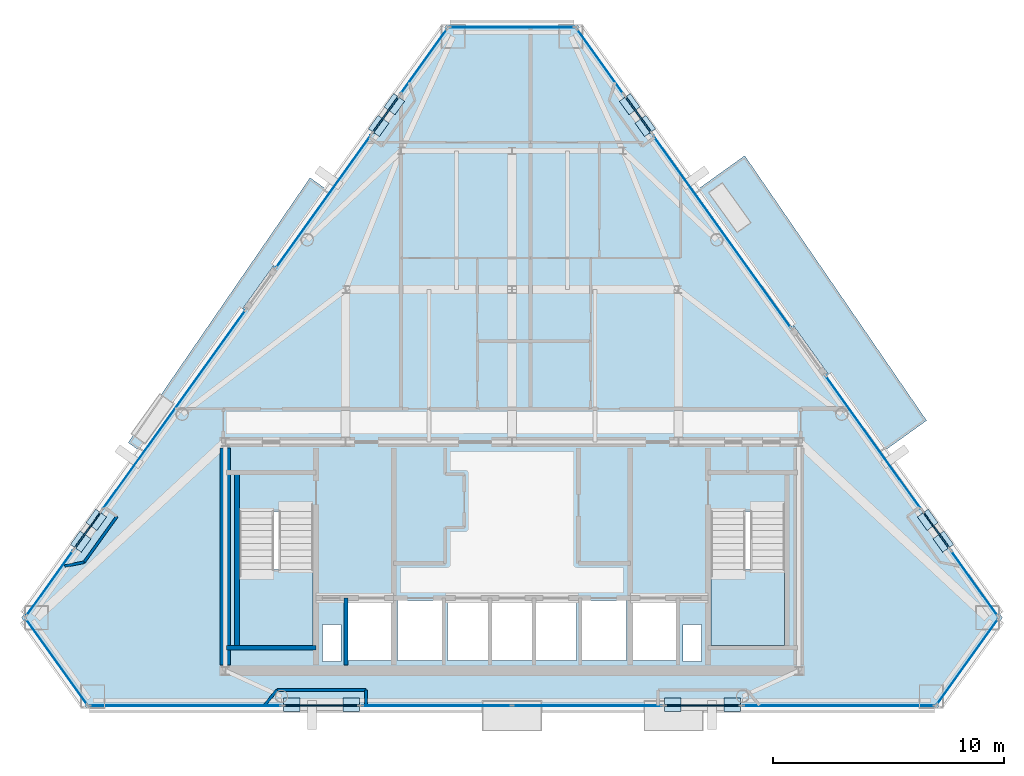
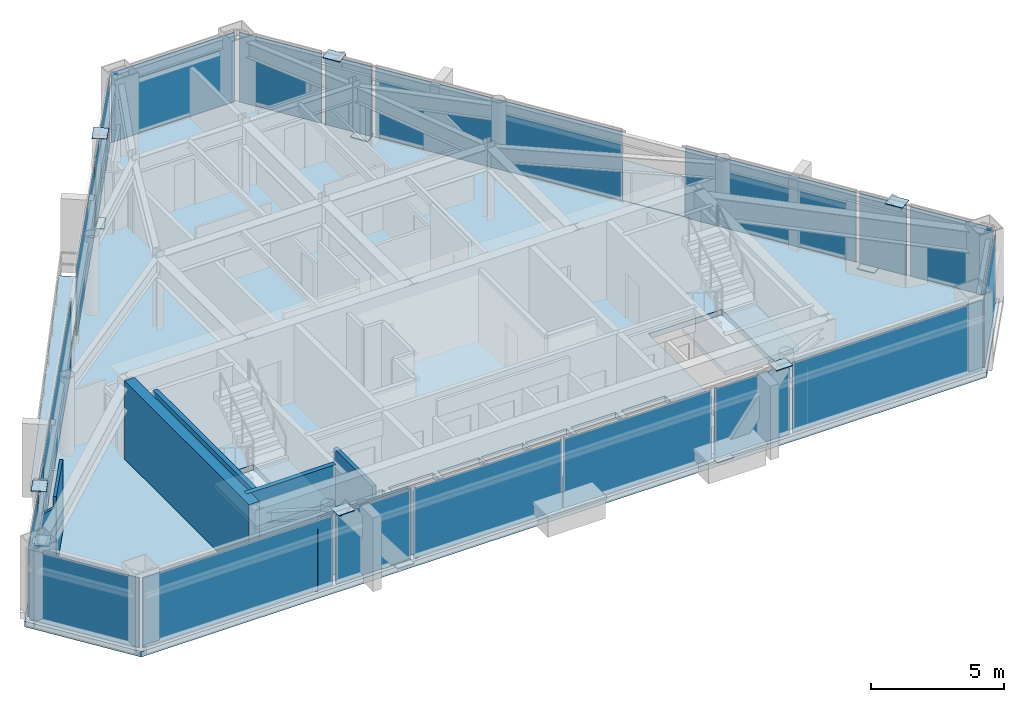
# One storey, part 6 of 11: 33 plates, 9 walls, 5 slabs, 22 elements without a shape of their own.
"""IFC4 building model written with IfcOpenShell, lengths in metres."""

import ifcopenshell
import ifcopenshell.guid

model = None  # the IFC model being written
_history = None  # IfcOwnerHistory: only IFC2X3 demands one
_inside = {}  # id of a spatial element -> (the spatial element, [elements in it])
_under = {}  # id of a project, library or spatial element -> (it, [spatial elements below it])
_declared = {}  # id of a project -> (the project, [libraries it declares])
_typed = {}  # id of a type object -> (the type object, [elements of that type])
_made_of = {}  # id of a material, layer set ... -> (it, [elements and type objects made of it])


def new_model(schema):
    """Start an empty IFC model of exactly this schema.

    Asked for "IFC4X3", IfcOpenShell would pick the latest addendum, in which some entities
    have other attributes; the version numbers below select the first issue.
    IFC2X3 requires an IfcOwnerHistory on every rooted entity: one is made here for all.
    """
    global model, _history
    if schema == "IFC4X3":
        model = ifcopenshell.file(schema_version=(4, 3, 0, 0))
    else:
        model = ifcopenshell.file(schema=schema)
    _inside.clear()
    _under.clear()
    _declared.clear()
    _typed.clear()
    _made_of.clear()
    _history = None
    if model.schema == "IFC2X3":
        org = make("IfcOrganization", Name="unknown")
        user = make(
            "IfcPersonAndOrganization",
            ThePerson=make("IfcPerson", FamilyName="unknown"),
            TheOrganization=org,
        )
        app = make(
            "IfcApplication",
            ApplicationDeveloper=org,
            Version="unknown",
            ApplicationFullName="unknown",
            ApplicationIdentifier="unknown",
        )
        _history = make(
            "IfcOwnerHistory",
            OwningUser=user,
            OwningApplication=app,
            ChangeAction="ADDED",
            CreationDate=0,
        )
    return model


def make(cls, **values):
    """One entity of the class cls with the attributes given. An attribute that is None is left unset."""
    return model.create_entity(
        cls, **{name: value for name, value in values.items() if value is not None}
    )


def rooted(cls, **values):
    """An entity with a GlobalId (a new one), such as an element, a storey or a relation."""
    return make(cls, GlobalId=ifcopenshell.guid.new(), OwnerHistory=_history, **values)


def si_unit(unit_type, name, prefix=None):
    """IfcSIUnit, for example si_unit("LENGTHUNIT", "METRE", prefix="MILLI")."""
    return make("IfcSIUnit", UnitType=unit_type, Prefix=prefix, Name=name)


def assignment(units):
    """IfcUnitAssignment: the units of a project."""
    return None if units is None else make("IfcUnitAssignment", Units=units)


def point(xyz):
    """IfcCartesianPoint."""
    return None if xyz is None else make("IfcCartesianPoint", Coordinates=xyz)


def direction(xyz):
    """IfcDirection."""
    return None if xyz is None else make("IfcDirection", DirectionRatios=xyz)


def frame(location, z_axis=None, x_axis=None):
    """IfcAxis2Placement3D, a coordinate frame: its origin and axes. An axis left out is left unset."""
    return make(
        "IfcAxis2Placement3D",
        Location=point(location),
        Axis=direction(z_axis),
        RefDirection=direction(x_axis),
    )


def frame_2d(location, x_axis=None):
    """IfcAxis2Placement2D, a coordinate frame in the plane: its origin and x axis."""
    return make(
        "IfcAxis2Placement2D", Location=point(location), RefDirection=direction(x_axis)
    )


def origin():
    """The frame at (0, 0, 0) with its axes left unset."""
    return frame((0.0, 0.0, 0.0))


def origin_2d():
    """The frame at (0, 0) in the plane with its x axis left unset."""
    return frame_2d((0.0, 0.0))


def place(relative_to, where):
    """IfcLocalPlacement: puts the frame where relative to a parent placement (None: the world)."""
    return make(
        "IfcLocalPlacement", PlacementRelTo=relative_to, RelativePlacement=where
    )


def context(
    kind, dimensions, precision=None, world=None, true_north=None, identifier=None
):
    """IfcGeometricRepresentationContext, for example the 3D "Model" context."""
    return make(
        "IfcGeometricRepresentationContext",
        ContextIdentifier=identifier,
        ContextType=kind,
        CoordinateSpaceDimension=dimensions,
        Precision=precision,
        WorldCoordinateSystem=world,
        TrueNorth=true_north,
    )


def subcontext(parent, identifier, kind, view, scale=None):
    """IfcGeometricRepresentationSubContext, for example "Body" below "Model"."""
    return make(
        "IfcGeometricRepresentationSubContext",
        ContextIdentifier=identifier,
        ContextType=kind,
        ParentContext=parent,
        TargetScale=scale,
        TargetView=view,
    )


def project(units=None, contexts=None):
    """IfcProject with its units and contexts."""
    return rooted(
        "IfcProject",
        Name="project",
        RepresentationContexts=contexts,
        UnitsInContext=assignment(units),
    )


def spatial(cls, under=None, at=None, **own):
    """A site, building, storey or space (cls), placed at a placement, below another one or the project."""
    s = rooted(cls, ObjectPlacement=at, **own)
    if under is not None:
        _under.setdefault(under.id(), (under, []))[1].append(s)
    return s


def polyline(points):
    """IfcPolyline through the points."""
    return make("IfcPolyline", Points=[point(p) for p in points])


def profile(cls, at=None, kind="AREA", **sizes):
    """A parametric profile (cls). Its sizes go by their IFC names, for example OverallWidth=200.0."""
    return make(cls, ProfileType=kind, Position=at, **sizes)


def rectangle(**sizes):
    """IfcRectangleProfileDef."""
    return profile("IfcRectangleProfileDef", **sizes)


def outline(outer, holes=None, kind="AREA"):
    """IfcArbitraryClosedProfileDef: a profile drawn as a closed curve; with holes, ...WithVoids."""
    if holes is None:
        return make("IfcArbitraryClosedProfileDef", ProfileType=kind, OuterCurve=outer)
    return make(
        "IfcArbitraryProfileDefWithVoids",
        ProfileType=kind,
        OuterCurve=outer,
        InnerCurves=holes,
    )


def extrude(swept, where, along, depth):
    """IfcExtrudedAreaSolid: the profile swept, set in the frame where, extruded along a direction by depth."""
    return make(
        "IfcExtrudedAreaSolid",
        SweptArea=swept,
        Position=where,
        ExtrudedDirection=direction(along),
        Depth=depth,
    )


def shape(context_of_items, identifier, shape_type, items):
    """IfcShapeRepresentation: the items that make up one representation, for example the "Body"."""
    return make(
        "IfcShapeRepresentation",
        ContextOfItems=context_of_items,
        RepresentationIdentifier=identifier,
        RepresentationType=shape_type,
        Items=items,
    )


def source(mapping_origin, context_of_items, identifier, shape_type, items):
    """IfcRepresentationMap: a shape defined once, which mapped items show again and again."""
    return make(
        "IfcRepresentationMap",
        MappingOrigin=mapping_origin,
        MappedRepresentation=shape(context_of_items, identifier, shape_type, items),
    )


def transform(
    local_origin,
    x_axis=None,
    y_axis=None,
    z_axis=None,
    scale=None,
    scale2=None,
    scale3=None,
    uniform=True,
):
    """IfcCartesianTransformationOperator3D, or its non-uniform kind. x_axis, y_axis, z_axis: its Axis1, 2, 3."""
    if uniform:
        return make(
            "IfcCartesianTransformationOperator3D",
            Axis1=direction(x_axis),
            Axis2=direction(y_axis),
            LocalOrigin=point(local_origin),
            Scale=scale,
            Axis3=direction(z_axis),
        )
    return make(
        "IfcCartesianTransformationOperator3DnonUniform",
        Axis1=direction(x_axis),
        Axis2=direction(y_axis),
        LocalOrigin=point(local_origin),
        Scale=scale,
        Axis3=direction(z_axis),
        Scale2=scale2,
        Scale3=scale3,
    )


def mapped(mapping_source, mapping_target):
    """IfcMappedItem: shows the shape of a source again, moved by a transform."""
    return make(
        "IfcMappedItem", MappingSource=mapping_source, MappingTarget=mapping_target
    )


def material(Name=None, Category=None):
    """IfcMaterial."""
    return make("IfcMaterial", Name=Name, Category=Category)


def layer(
    of_material, thickness, ventilated=None, Name=None, Category=None, Priority=None
):
    """IfcMaterialLayer: one layer of a wall or slab, of a material (None: an air gap)."""
    return make(
        "IfcMaterialLayer",
        Material=of_material,
        LayerThickness=thickness,
        IsVentilated=ventilated,
        Name=Name,
        Category=Category,
        Priority=Priority,
    )


def layer_set(layers, Name=None):
    """IfcMaterialLayerSet."""
    return make("IfcMaterialLayerSet", MaterialLayers=layers, LayerSetName=Name)


def made_of(thing, what):
    """Note that an element or type object is made of a material, layer set ...; save() writes the relation."""
    if what is not None:
        _made_of.setdefault(what.id(), (what, []))[1].append(thing)
    return thing


def type_object(cls, material=None, **own):
    """A type object (cls), such as IfcWallType, which elements share."""
    return made_of(rooted(cls, **own), material)


def type_shapes(of_type, sources):
    """Give a type object the sources (RepresentationMaps) that its elements show as mapped items."""
    of_type.RepresentationMaps = sources


def element(
    cls,
    number,
    at=None,
    inside=None,
    cuts=None,
    type_object=None,
    material=None,
    context=None,
    identifier="Body",
    shape_type=None,
    held_by="IfcProductDefinitionShape",
    body=None,
    shapes=None,
    **own,
):
    """One element of the class cls, such as IfcWall. Its Tag is "e" and its number.

    at: its placement. inside: the storey or other place that contains it. cuts: it is an
    opening in that element (IfcRelVoidsElement). A single representation is given by context,
    identifier, shape_type and body (its items); several are given by shapes. held_by: the class
    of the entity that holds the representations. save() writes the other relations.
    """
    e = rooted(cls, Tag="e%d" % number, ObjectPlacement=at, **own)
    if body is not None:
        shapes = [shape(context, identifier, shape_type, body)]
    if shapes is not None:
        e.Representation = make(held_by, Representations=shapes)
    if inside is not None:
        _inside.setdefault(inside.id(), (inside, []))[1].append(e)
    if cuts is not None:
        rooted(
            "IfcRelVoidsElement", RelatingBuildingElement=cuts, RelatedOpeningElement=e
        )
    if type_object is not None:
        _typed.setdefault(type_object.id(), (type_object, []))[1].append(e)
    return made_of(e, material)


def aggregate(whole, parts):
    """IfcRelAggregates: a whole, such as a stair, and the parts it consists of."""
    return rooted("IfcRelAggregates", RelatingObject=whole, RelatedObjects=parts)


def save(model, path):
    """Write the relations noted so far, then the file.

    IfcRelAggregates (storeys below a building ...), IfcRelContainedInSpatialStructure (elements
    in a storey), IfcRelDefinesByType, IfcRelAssociatesMaterial and IfcRelDeclares: one each for
    every whole, place, type object, material and project.
    """
    for whole, parts in _under.values():
        aggregate(whole, parts)
    for where, things in _inside.values():
        rooted(
            "IfcRelContainedInSpatialStructure",
            RelatedElements=things,
            RelatingStructure=where,
        )
    for kind, things in _typed.values():
        rooted("IfcRelDefinesByType", RelatedObjects=things, RelatingType=kind)
    for what, things in _made_of.values():
        rooted("IfcRelAssociatesMaterial", RelatedObjects=things, RelatingMaterial=what)
    for by, libraries in _declared.values():
        rooted("IfcRelDeclares", RelatingContext=by, RelatedDefinitions=libraries)
    model.write(path)


model = new_model("IFC4")

# Units and contexts
model_context = context("Model", 3, precision=1e-05, world=origin(), true_north=direction((0.0, 1.0)))
body_context = subcontext(model_context, "Body", "Model", "MODEL_VIEW")
ifc_project = project(units=[si_unit("LENGTHUNIT", "METRE"), si_unit("AREAUNIT", "SQUARE_METRE"), si_unit("VOLUMEUNIT", "CUBIC_METRE"), si_unit("PLANEANGLEUNIT", "RADIAN"), si_unit("MASSUNIT", "GRAM", prefix="KILO")], contexts=[model_context])

# Site, building, storey
site_placement = place(None, origin())
site = spatial("IfcSite", under=ifc_project, at=site_placement, CompositionType="ELEMENT")
building_placement = place(site_placement, origin())
building = spatial("IfcBuilding", under=site, at=building_placement, Name="Talgorran Terracotta Tower", CompositionType="ELEMENT")
storey_placement = place(building_placement, frame((0.0, 0.0, 233.39990234375)))
storey = spatial("IfcBuildingStorey", under=building, at=storey_placement, Name="L61", CompositionType="ELEMENT", Elevation=233.39990234375)

# Plates
ifc_material_1 = material(Name="Steel Grade 350 (350L0)", Category="steel")
ifc_layer_1 = layer(ifc_material_1, 0.031982421875, Name="PL_CAP_MN07")
ifc_layer_set_1 = layer_set([ifc_layer_1], Name="Steel Grade 350 (350L0)")
plate_type_1 = type_object("IfcPlateType", Name="PL_CAP_MN07", PredefinedType="USERDEFINED", material=ifc_layer_set_1)
for number, where, z_axis, x_axis, name in (
    (1, (-6.96240234375, -15.56787109375, -0.005859375), (0.0, 0.0, 1.0), (-1.0, 0.0, 0.0), "L61 Diagonal Frame End Cap SWF Bot"),
    (2, (-9.52734375, -15.56787109375, 3.3193359375), (0.0, 0.0, 1.0), (-1.0, 0.0, 0.0), "L61 Diagonal Frame End Cap SWF Top"),
    (3, (6.96240234375, -15.56787109375, -0.005859375), (0.0, 0.0, 1.0), (1.0, 0.0, 0.0), "L61 Diagonal Frame End Cap SEF Bot"),
    (4, (9.52734375, -15.56787109375, 3.3193359375), (0.0, 0.0, 1.0), (1.0, 0.0, 0.0), "L61 Diagonal Frame End Cap SEF Top"),
    (5, (17.98583984375, -7.567138671875, -0.005859375), (0.0, 0.0, 1.0), (0.582690479669, -0.812694164433, 0.0), "L61 Diagonal Frame End Cap NEL Bot"),
    (6, (18.66259765625, -8.510986328125, 3.3193359375), (0.0, 0.0, 1.0), (0.582690479669, -0.812694164433, 0.0), "L61 Diagonal Frame End Cap NEL Top"),
    (7, (5.768310546875, 9.473876953125, -0.005859375), (0.0, 0.0, 1.0), (-0.582690479669, 0.812694164433, 0.0), "L61 Diagonal Frame End Cap NEU Bot"),
    (8, (5.091796875, 10.417724609375, 3.3193359375), (0.0, 0.0, 1.0), (-0.582690479669, 0.812694164433, 0.0), "L61 Diagonal Frame End Cap NEU Top"),
    (9, (-5.768310546875, 9.473876953125, -0.005859375), (0.0, 0.0, 1.0), (0.582690479669, 0.812694164433, 0.0), "L61 Diagonal Frame End Cap NWU Bot"),
    (10, (-5.091796875, 10.417724609375, 3.3193359375), (0.0, 0.0, 1.0), (0.582690479669, 0.812694164433, 0.0), "L61 Diagonal Frame End Cap NWU Top"),
    (11, (-17.98583984375, -7.567138671875, -0.005859375), (0.0, 0.0, 1.0), (-0.582690479669, -0.812694164433, 0.0), "L61 Diagonal Frame End Cap NWL Bot"),
    (12, (-18.66259765625, -8.510986328125, 3.3193359375), (0.0, 0.0, 1.0), (-0.582690479669, -0.812694164433, 0.0), "L61 Diagonal Frame End Cap NWL Top"),
):
    element("IfcPlate", number, at=place(storey_placement, frame(where, z_axis=z_axis, x_axis=x_axis)), inside=storey, type_object=plate_type_1, Name=name, ObjectType="CAP PLATE", PredefinedType="USERDEFINED", context=body_context, shape_type="SweptSolid", body=[
        extrude(rectangle(XDim=0.719970703125, YDim=0.580078125, at=origin_2d()), origin(), (0.0, 0.0, 1.0), 0.031982421875),
    ])

# Slabs
ifc_material_2 = material(Name="Concrete C40/50", Category="concrete")
ifc_layer_2 = layer(ifc_material_2, 0.219970703125, Name="SL_BALCONY_220")
ifc_layer_set_2 = layer_set([ifc_layer_2], Name="Concrete C40/50")
slab_type_1 = type_object("IfcSlabType", Name="SL_BALCONY_220", PredefinedType="FLOOR", material=ifc_layer_set_2)
slab_1_placement = place(storey_placement, frame((0.0, 0.0, -0.219970703125)))
element("IfcSlab", 13, at=slab_1_placement, inside=storey, type_object=slab_type_1, Name="L61 Outdoor Wave Balcony BAL-NE", PredefinedType="FLOOR", context=body_context, shape_type="SweptSolid", body=[
    extrude(outline(polyline([(7.97998046875, 6.689697265625), (16.077880859375, -4.60546875), (17.936767578125, -3.272705078125), (10.068603515625, 8.18701171875), (7.97998046875, 6.689697265625)])), origin(), (0.0, 0.0, 1.0), 0.219970703125),
])
slab_2_placement = place(storey_placement, frame((0.0, 0.0, -0.219970703125)))
element("IfcSlab", 14, at=slab_2_placement, inside=storey, type_object=slab_type_1, Name="L61 Outdoor Wave Balcony BAL-NW", PredefinedType="FLOOR", context=body_context, shape_type="SweptSolid", body=[
    extrude(outline(polyline([(-16.077880859375, -4.60546875), (-7.97998046875, 6.689697265625), (-8.73779296875, 7.23291015625), (-16.60595703125, -4.226806640625), (-16.077880859375, -4.60546875)])), origin(), (0.0, 0.0, 1.0), 0.219970703125),
])

# Stair, slab
stair_type = type_object("IfcStairType", Name="ST_FIRE_SCISSOR", PredefinedType="HALF_TURN_STAIR", material=ifc_material_2)
stair_1_placement = place(storey_placement, origin())
stair_1 = element("IfcStair", 15, at=stair_1_placement, inside=storey, type_object=stair_type, Name="L61 West Protected Fire Stair ST-01", PredefinedType="HALF_TURN_STAIR")
ifc_layer_3 = layer(ifc_material_2, 0.199951171875, Name="SL_LANDING_200")
ifc_layer_set_3 = layer_set([ifc_layer_3], Name="Concrete C40/50")
slab_type_2 = type_object("IfcSlabType", Name="SL_LANDING_200", PredefinedType="LANDING", material=ifc_layer_set_3)
slab_3_placement = place(storey_placement, frame((0.0, 0.0, 1.60009765625)))
slab_3 = element("IfcSlab", 16, at=slab_3_placement, type_object=slab_type_2, Name="ST-01 landing 1", PredefinedType="LANDING", context=body_context, shape_type="SweptSolid", body=[
    extrude(outline(polyline([(-11.800048828125, -9.719970703125), (-11.800048828125, -13.0), (-8.60009765625, -13.0), (-8.60009765625, -9.719970703125), (-11.800048828125, -9.719970703125)])), origin(), (0.0, 0.0, 1.0), 0.199951171875),
])
aggregate(stair_1, [slab_3])

stair_2_placement = place(storey_placement, origin())
stair_2 = element("IfcStair", 17, at=stair_2_placement, inside=storey, type_object=stair_type, Name="L61 East Protected Fire Stair ST-02", PredefinedType="HALF_TURN_STAIR")
slab_4_placement = place(storey_placement, frame((0.0, 0.0, 1.60009765625)))
slab_4 = element("IfcSlab", 18, at=slab_4_placement, type_object=slab_type_2, Name="ST-02 landing 1", PredefinedType="LANDING", context=body_context, shape_type="SweptSolid", body=[
    extrude(outline(polyline([(8.60009765625, -9.719970703125), (8.60009765625, -13.0), (11.800048828125, -13.0), (11.800048828125, -9.719970703125), (8.60009765625, -9.719970703125)])), origin(), (0.0, 0.0, 1.0), 0.199951171875),
])
aggregate(stair_2, [slab_4])

# Slab
ifc_layer_4 = layer(ifc_material_2, 0.2548828125, Name="SL_TOWER_235")
ifc_layer_set_4 = layer_set([ifc_layer_4], Name="Concrete C40/50")
slab_type_3 = type_object("IfcSlabType", Name="SL_TOWER_235", PredefinedType="FLOOR", material=ifc_layer_set_4)
slab_5_placement = place(storey_placement, frame((0.0, 0.0, -0.2548828125)))
element("IfcSlab", 19, at=slab_5_placement, inside=storey, type_object=slab_type_3, Name="Storey L61 Structural Floor Slab", PredefinedType="FLOOR", context=body_context, shape_type="SweptSolid", body=[
    extrude(outline(polyline([(-21.21875, -11.802001953125), (-18.404296875, -15.727783203125), (18.404296875, -15.727783203125), (21.21875, -11.802001953125), (2.814453125, 13.86865234375), (-2.814453125, 13.86865234375), (-21.21875, -11.802001953125)]), holes=[polyline([(-11.800048828125, -7.199951171875), (-11.800048828125, -13.0), (-8.60009765625, -13.0), (-8.60009765625, -7.199951171875), (-11.800048828125, -7.199951171875)]), polyline([(8.60009765625, -7.199951171875), (8.60009765625, -13.0), (11.800048828125, -13.0), (11.800048828125, -7.199951171875), (8.60009765625, -7.199951171875)]), polyline([(-7.10009765625, -13.64990234375), (-5.199951171875, -13.64990234375), (-5.199951171875, -11.050048828125), (-7.10009765625, -11.050048828125), (-7.10009765625, -13.64990234375)]), polyline([(5.199951171875, -13.64990234375), (7.10009765625, -13.64990234375), (7.10009765625, -11.050048828125), (5.199951171875, -11.050048828125), (5.199951171875, -13.64990234375)]), polyline([(3.0, -13.64990234375), (4.949951171875, -13.64990234375), (4.949951171875, -11.050048828125), (3.0, -11.050048828125), (3.0, -13.64990234375)]), polyline([(-4.949951171875, -13.64990234375), (-3.0, -13.64990234375), (-3.0, -11.050048828125), (-4.949951171875, -11.050048828125), (-4.949951171875, -13.64990234375)]), polyline([(-2.800048828125, -13.64990234375), (-1.0, -13.64990234375), (-1.0, -11.050048828125), (-2.800048828125, -11.050048828125), (-2.800048828125, -13.64990234375)]), polyline([(-0.89990234375, -13.64990234375), (0.89990234375, -13.64990234375), (0.89990234375, -11.050048828125), (-0.89990234375, -11.050048828125), (-0.89990234375, -13.64990234375)]), polyline([(1.0, -13.64990234375), (2.800048828125, -13.64990234375), (2.800048828125, -11.050048828125), (1.0, -11.050048828125), (1.0, -13.64990234375)]), polyline([(-8.199951171875, -13.699951171875), (-7.39990234375, -13.699951171875), (-7.39990234375, -12.10009765625), (-8.199951171875, -12.10009765625), (-8.199951171875, -13.699951171875)]), polyline([(7.39990234375, -13.699951171875), (8.199951171875, -13.699951171875), (8.199951171875, -12.10009765625), (7.39990234375, -12.10009765625), (7.39990234375, -13.699951171875)])]), origin(), (0.0, 0.0, 1.0), 0.2548828125),
])

# Curtain wall, plate
ifc_material_3 = material(Name="High-Wind Unitised Glazing", Category="glass")
ifc_layer_5 = layer(ifc_material_3, 0.2099609375, Name="CW_SYS3_RES_HIGH")
ifc_layer_set_5 = layer_set([ifc_layer_5], Name="High-Wind Unitised Glazing")
curtain_wall_type = type_object("IfcCurtainWallType", Name="CW_SYS3_RES_HIGH", PredefinedType="NOTDEFINED", material=ifc_layer_set_5)
curtain_wall_1_placement = place(storey_placement, origin())
curtain_wall_1 = element("IfcCurtainWall", 20, at=curtain_wall_1_placement, inside=storey, type_object=curtain_wall_type, Name="CW-L61-F0", PredefinedType="NOTDEFINED")
ifc_material_4 = material(Name="High-Wind Acoustic Vision Glass", Category="glass")
ifc_layer_6 = layer(ifc_material_4, 0.031982421875, Name="PLT_VISION_32")
ifc_layer_set_6 = layer_set([ifc_layer_6], Name="High-Wind Acoustic Vision Glass")
plate_type_2 = type_object("IfcPlateType", Name="PLT_VISION_32", PredefinedType="CURTAIN_PANEL", material=ifc_layer_set_6)
shared_shape_1 = source(origin(), body_context, "Body", "SweptSolid", [
    extrude(rectangle(XDim=4.542724609375, YDim=0.031982421875, at=origin_2d()), origin(), (0.0, 0.0, 1.0), 3.205078125),
])
plate_1_placement = place(storey_placement, frame((-19.706787109375, -13.704833984375, 0.070068359375), z_axis=(0.0, 0.0, 1.0), x_axis=(0.582661427396, -0.812714993724, 0.0)))
plate_1 = element("IfcPlate", 21, at=plate_1_placement, type_object=plate_type_2, Name="CW-L61-0 panel 1.1", PredefinedType="CURTAIN_PANEL", context=body_context, shape_type="MappedRepresentation", body=[
    mapped(shared_shape_1, transform((0.0, 0.0, 0.0), scale=1.0)),
])
aggregate(curtain_wall_1, [plate_1])

curtain_wall_2_placement = place(storey_placement, origin())
curtain_wall_2 = element("IfcCurtainWall", 22, at=curtain_wall_2_placement, inside=storey, type_object=curtain_wall_type, Name="CW-L61-F2", PredefinedType="NOTDEFINED")
plate_2_placement = place(storey_placement, frame((19.706787109375, -13.704833984375, 0.070068359375), z_axis=(0.0, 0.0, 1.0), x_axis=(0.582661427396, 0.812714993724, 0.0)))
plate_2 = element("IfcPlate", 23, at=plate_2_placement, type_object=plate_type_2, Name="CW-L61-2 panel 1.1", PredefinedType="CURTAIN_PANEL", context=body_context, shape_type="MappedRepresentation", body=[
    mapped(shared_shape_1, transform((0.0, 0.0, 0.0), scale=1.0)),
])
aggregate(curtain_wall_2, [plate_2])

curtain_wall_3_placement = place(storey_placement, origin())
curtain_wall_3 = element("IfcCurtainWall", 24, at=curtain_wall_3_placement, inside=storey, type_object=curtain_wall_type, Name="CW-L61-F1", PredefinedType="NOTDEFINED")
shared_shape_2 = source(origin(), body_context, "Body", "SweptSolid", [
    extrude(rectangle(XDim=8.2568359375, YDim=0.031982421875, at=origin_2d()), origin(), (0.0, 0.0, 1.0), 3.205078125),
])
plate_3_placement = place(storey_placement, frame((-14.14404296875, -15.60791015625, 0.070068359375), z_axis=(0.0, 0.0, 1.0), x_axis=(1.0, 0.0, 0.0)))
plate_3 = element("IfcPlate", 25, at=plate_3_placement, type_object=plate_type_2, Name="CW-L61-1 panel 1.1", PredefinedType="CURTAIN_PANEL", context=body_context, shape_type="MappedRepresentation", body=[
    mapped(shared_shape_2, transform((0.0, 0.0, 0.0), scale=1.0)),
])
aggregate(curtain_wall_3, [plate_3])

curtain_wall_4_placement = place(storey_placement, origin())
curtain_wall_4 = element("IfcCurtainWall", 26, at=curtain_wall_4_placement, inside=storey, type_object=curtain_wall_type, Name="CW-L61-F1E", PredefinedType="NOTDEFINED")
plate_4_placement = place(storey_placement, frame((14.14404296875, -15.60791015625, 0.070068359375), z_axis=(0.0, 0.0, 1.0), x_axis=(1.0, 0.0, 0.0)))
plate_4 = element("IfcPlate", 27, at=plate_4_placement, type_object=plate_type_2, Name="CW-L61-1E panel 1.1", PredefinedType="CURTAIN_PANEL", context=body_context, shape_type="MappedRepresentation", body=[
    mapped(shared_shape_2, transform((0.0, 0.0, 0.0), scale=1.0)),
])
aggregate(curtain_wall_4, [plate_4])

curtain_wall_5_placement = place(storey_placement, origin())
curtain_wall_5 = element("IfcCurtainWall", 28, at=curtain_wall_5_placement, inside=storey, type_object=curtain_wall_type, Name="CW-L61-F1B", PredefinedType="NOTDEFINED")
ifc_material_5 = material(Name="Terracotta Insulated Spandrel", Category="masonry")
ifc_layer_7 = layer(ifc_material_5, 0.06494140625, Name="PLT_SPANDREL_TERRA")
ifc_layer_set_7 = layer_set([ifc_layer_7], Name="Terracotta Insulated Spandrel")
plate_type_3 = type_object("IfcPlateType", Name="PLT_SPANDREL_TERRA", PredefinedType="SHEET", material=ifc_layer_set_7)
shared_shape_3 = source(origin(), body_context, "Body", "SweptSolid", [
    extrude(rectangle(XDim=3.24169921875, YDim=0.06494140625, at=origin_2d()), origin(), (0.0, 0.0, 1.0), 3.205078125),
])
plate_5_placement = place(storey_placement, frame((-8.244873046875, -15.60791015625, 0.070068359375), z_axis=(0.0, 0.0, 1.0), x_axis=(1.0, 0.0, 0.0)))
plate_5 = element("IfcPlate", 29, at=plate_5_placement, type_object=plate_type_3, Name="CW-L61-1B panel 1.1", PredefinedType="CURTAIN_PANEL", context=body_context, shape_type="MappedRepresentation", body=[
    mapped(shared_shape_3, transform((0.0, 0.0, 0.0), scale=1.0)),
])
aggregate(curtain_wall_5, [plate_5])

curtain_wall_6_placement = place(storey_placement, origin())
curtain_wall_6 = element("IfcCurtainWall", 30, at=curtain_wall_6_placement, inside=storey, type_object=curtain_wall_type, Name="CW-L61-F1D", PredefinedType="NOTDEFINED")
plate_6_placement = place(storey_placement, frame((8.244873046875, -15.60791015625, 0.070068359375), z_axis=(0.0, 0.0, 1.0), x_axis=(1.0, 0.0, 0.0)))
plate_6 = element("IfcPlate", 31, at=plate_6_placement, type_object=plate_type_3, Name="CW-L61-1D panel 1.1", PredefinedType="CURTAIN_PANEL", context=body_context, shape_type="MappedRepresentation", body=[
    mapped(shared_shape_3, transform((0.0, 0.0, 0.0), scale=1.0)),
])
aggregate(curtain_wall_6, [plate_6])

# Curtain wall, plates
curtain_wall_7_placement = place(storey_placement, origin())
curtain_wall_7 = element("IfcCurtainWall", 32, at=curtain_wall_7_placement, inside=storey, type_object=curtain_wall_type, Name="CW-L61-F1C", PredefinedType="NOTDEFINED")
shared_shape_4 = source(origin(), body_context, "Body", "SweptSolid", [
    extrude(rectangle(XDim=6.439208984375, YDim=0.031982421875, at=origin_2d()), origin(), (0.0, 0.0, 1.0), 3.205078125),
])
plate_7_placement = place(storey_placement, frame((-3.254638671875, -15.60791015625, 0.070068359375), z_axis=(0.0, 0.0, 1.0), x_axis=(1.0, 0.0, 0.0)))
plate_7 = element("IfcPlate", 33, at=plate_7_placement, type_object=plate_type_2, Name="CW-L61-1C panel 1.1", PredefinedType="CURTAIN_PANEL", context=body_context, shape_type="MappedRepresentation", body=[
    mapped(shared_shape_4, transform((0.0, 0.0, 0.0), scale=1.0)),
])
plate_8_placement = place(storey_placement, frame((3.254638671875, -15.60791015625, 0.070068359375), z_axis=(0.0, 0.0, 1.0), x_axis=(1.0, 0.0, 0.0)))
plate_8 = element("IfcPlate", 34, at=plate_8_placement, type_object=plate_type_2, Name="CW-L61-1C panel 2.1", PredefinedType="CURTAIN_PANEL", context=body_context, shape_type="MappedRepresentation", body=[
    mapped(shared_shape_4, transform((0.0, 0.0, 0.0), scale=1.0)),
])
aggregate(curtain_wall_7, [plate_7, plate_8])

# Curtain wall, plate
curtain_wall_8_placement = place(storey_placement, origin())
curtain_wall_8 = element("IfcCurtainWall", 35, at=curtain_wall_8_placement, inside=storey, type_object=curtain_wall_type, Name="CW-L61-F40", PredefinedType="NOTDEFINED")
shared_shape_5 = source(origin(), body_context, "Body", "SweptSolid", [
    extrude(rectangle(XDim=3.4306640625, YDim=0.031982421875, at=origin_2d()), origin(), (0.0, 0.0, 1.0), 3.205078125),
])
plate_9_placement = place(storey_placement, frame((20.007568359375, -10.318603515625, 0.070068359375), z_axis=(0.0, 0.0, 1.0), x_axis=(-0.582654617926, 0.812719875609, 0.0)))
plate_9 = element("IfcPlate", 36, at=plate_9_placement, type_object=plate_type_2, Name="CW-L61-40 panel 1.1", PredefinedType="CURTAIN_PANEL", context=body_context, shape_type="MappedRepresentation", body=[
    mapped(shared_shape_5, transform((0.0, 0.0, 0.0), scale=1.0)),
])
aggregate(curtain_wall_8, [plate_9])

curtain_wall_9_placement = place(storey_placement, origin())
curtain_wall_9 = element("IfcCurtainWall", 37, at=curtain_wall_9_placement, inside=storey, type_object=curtain_wall_type, Name="CW-L61-F61C", PredefinedType="NOTDEFINED")
plate_10_placement = place(storey_placement, frame((-20.007568359375, -10.318603515625, 0.070068359375), z_axis=(0.0, 0.0, 1.0), x_axis=(-0.582654617926, -0.812719875609, 0.0)))
plate_10 = element("IfcPlate", 38, at=plate_10_placement, type_object=plate_type_2, Name="CW-L61-61C panel 1.1", PredefinedType="CURTAIN_PANEL", context=body_context, shape_type="MappedRepresentation", body=[
    mapped(shared_shape_5, transform((0.0, 0.0, 0.0), scale=1.0)),
])
aggregate(curtain_wall_9, [plate_10])

curtain_wall_10_placement = place(storey_placement, origin())
curtain_wall_10 = element("IfcCurtainWall", 39, at=curtain_wall_10_placement, inside=storey, type_object=curtain_wall_type, Name="CW-L61-F40B", PredefinedType="NOTDEFINED")
shared_shape_6 = source(origin(), body_context, "Body", "SweptSolid", [
    extrude(rectangle(XDim=1.935791015625, YDim=0.06494140625, at=origin_2d()), origin(), (0.0, 0.0, 1.0), 3.205078125),
])
plate_11_placement = place(storey_placement, frame((18.356689453125, -8.015869140625, 0.070068359375), z_axis=(0.0, 0.0, 1.0), x_axis=(-0.582649952546, 0.81272322029, 0.0)))
plate_11 = element("IfcPlate", 40, at=plate_11_placement, type_object=plate_type_3, Name="CW-L61-40B panel 1.1", PredefinedType="CURTAIN_PANEL", context=body_context, shape_type="MappedRepresentation", body=[
    mapped(shared_shape_6, transform((0.0, 0.0, 0.0), scale=1.0)),
])
aggregate(curtain_wall_10, [plate_11])

curtain_wall_11_placement = place(storey_placement, origin())
curtain_wall_11 = element("IfcCurtainWall", 41, at=curtain_wall_11_placement, inside=storey, type_object=curtain_wall_type, Name="CW-L61-F61B", PredefinedType="NOTDEFINED")
plate_12_placement = place(storey_placement, frame((-18.356689453125, -8.015869140625, 0.070068359375), z_axis=(0.0, 0.0, 1.0), x_axis=(-0.582649952546, -0.81272322029, 0.0)))
plate_12 = element("IfcPlate", 42, at=plate_12_placement, type_object=plate_type_3, Name="CW-L61-61B panel 1.1", PredefinedType="CURTAIN_PANEL", context=body_context, shape_type="MappedRepresentation", body=[
    mapped(shared_shape_6, transform((0.0, 0.0, 0.0), scale=1.0)),
])
aggregate(curtain_wall_11, [plate_12])

curtain_wall_12_placement = place(storey_placement, origin())
curtain_wall_12 = element("IfcCurtainWall", 43, at=curtain_wall_12_placement, inside=storey, type_object=curtain_wall_type, Name="CW-L61-F40C", PredefinedType="NOTDEFINED")
shared_shape_7 = source(origin(), body_context, "Body", "SweptSolid", [
    extrude(rectangle(XDim=7.08203125, YDim=0.031982421875, at=origin_2d()), origin(), (0.0, 0.0, 1.0), 3.205078125),
])
plate_13_placement = place(storey_placement, frame((15.64208984375, -4.2294921875, 0.070068359375), z_axis=(0.0, 0.0, 1.0), x_axis=(-0.582664996011, 0.812712435258, 0.0)))
plate_13 = element("IfcPlate", 44, at=plate_13_placement, type_object=plate_type_2, Name="CW-L61-40C panel 1.1", PredefinedType="CURTAIN_PANEL", context=body_context, shape_type="MappedRepresentation", body=[
    mapped(shared_shape_7, transform((0.0, 0.0, 0.0), scale=1.0)),
])
aggregate(curtain_wall_12, [plate_13])

curtain_wall_13_placement = place(storey_placement, origin())
curtain_wall_13 = element("IfcCurtainWall", 45, at=curtain_wall_13_placement, inside=storey, type_object=curtain_wall_type, Name="CW-L61-F41", PredefinedType="NOTDEFINED")
shared_shape_8 = source(origin(), body_context, "Body", "SweptSolid", [
    extrude(rectangle(XDim=10.211669921875, YDim=0.031982421875, at=origin_2d()), origin(), (0.0, 0.0, 1.0), 3.205078125),
])
plate_14_placement = place(storey_placement, frame((9.089111328125, 4.910888671875, 0.070068359375), z_axis=(0.0, 0.0, 1.0), x_axis=(-0.582664659441, 0.812712676558, 0.0)))
plate_14 = element("IfcPlate", 46, at=plate_14_placement, type_object=plate_type_2, Name="CW-L61-41 panel 1.1", PredefinedType="CURTAIN_PANEL", context=body_context, shape_type="MappedRepresentation", body=[
    mapped(shared_shape_8, transform((0.0, 0.0, 0.0), scale=1.0)),
])
aggregate(curtain_wall_13, [plate_14])

curtain_wall_14_placement = place(storey_placement, origin())
curtain_wall_14 = element("IfcCurtainWall", 47, at=curtain_wall_14_placement, inside=storey, type_object=curtain_wall_type, Name="CW-L61-F41B", PredefinedType="NOTDEFINED")
shared_shape_9 = source(origin(), body_context, "Body", "SweptSolid", [
    extrude(rectangle(XDim=1.93603515625, YDim=0.06494140625, at=origin_2d()), origin(), (0.0, 0.0, 1.0), 3.205078125),
])
type_shapes(plate_type_3, [shared_shape_3, shared_shape_6, shared_shape_9])
plate_15_placement = place(storey_placement, frame((5.462646484375, 9.968994140625, 0.070068359375), z_axis=(0.0, 0.0, 1.0), x_axis=(-0.582681770259, 0.812700408888, 0.0)))
plate_15 = element("IfcPlate", 48, at=plate_15_placement, type_object=plate_type_3, Name="CW-L61-41B panel 1.1", PredefinedType="CURTAIN_PANEL", context=body_context, shape_type="MappedRepresentation", body=[
    mapped(shared_shape_9, transform((0.0, 0.0, 0.0), scale=1.0)),
])
aggregate(curtain_wall_14, [plate_15])

curtain_wall_15_placement = place(storey_placement, origin())
curtain_wall_15 = element("IfcCurtainWall", 49, at=curtain_wall_15_placement, inside=storey, type_object=curtain_wall_type, Name="CW-L61-F60B", PredefinedType="NOTDEFINED")
plate_16_placement = place(storey_placement, frame((-5.462646484375, 9.968994140625, 0.070068359375), z_axis=(0.0, 0.0, 1.0), x_axis=(-0.582681770259, -0.812700408888, 0.0)))
plate_16 = element("IfcPlate", 50, at=plate_16_placement, type_object=plate_type_3, Name="CW-L61-60B panel 1.1", PredefinedType="CURTAIN_PANEL", context=body_context, shape_type="MappedRepresentation", body=[
    mapped(shared_shape_9, transform((0.0, 0.0, 0.0), scale=1.0)),
])
aggregate(curtain_wall_15, [plate_16])

curtain_wall_16_placement = place(storey_placement, origin())
curtain_wall_16 = element("IfcCurtainWall", 51, at=curtain_wall_16_placement, inside=storey, type_object=curtain_wall_type, Name="CW-L61-F41C", PredefinedType="NOTDEFINED")
shared_shape_10 = source(origin(), body_context, "Body", "SweptSolid", [
    extrude(rectangle(XDim=3.422607421875, YDim=0.031982421875, at=origin_2d()), origin(), (0.0, 0.0, 1.0), 3.205078125),
])
plate_17_placement = place(storey_placement, frame((3.814208984375, 12.2685546875, 0.070068359375), z_axis=(0.0, 0.0, 1.0), x_axis=(-0.582673781181, 0.812706136758, 0.0)))
plate_17 = element("IfcPlate", 52, at=plate_17_placement, type_object=plate_type_2, Name="CW-L61-41C panel 1.1", PredefinedType="CURTAIN_PANEL", context=body_context, shape_type="MappedRepresentation", body=[
    mapped(shared_shape_10, transform((0.0, 0.0, 0.0), scale=1.0)),
])
aggregate(curtain_wall_16, [plate_17])

curtain_wall_17_placement = place(storey_placement, origin())
curtain_wall_17 = element("IfcCurtainWall", 53, at=curtain_wall_17_placement, inside=storey, type_object=curtain_wall_type, Name="CW-L61-F60", PredefinedType="NOTDEFINED")
plate_18_placement = place(storey_placement, frame((-3.814208984375, 12.2685546875, 0.070068359375), z_axis=(0.0, 0.0, 1.0), x_axis=(-0.582673781181, -0.812706136758, 0.0)))
plate_18 = element("IfcPlate", 54, at=plate_18_placement, type_object=plate_type_2, Name="CW-L61-60 panel 1.1", PredefinedType="CURTAIN_PANEL", context=body_context, shape_type="MappedRepresentation", body=[
    mapped(shared_shape_10, transform((0.0, 0.0, 0.0), scale=1.0)),
])
aggregate(curtain_wall_17, [plate_18])

curtain_wall_18_placement = place(storey_placement, origin())
curtain_wall_18 = element("IfcCurtainWall", 55, at=curtain_wall_18_placement, inside=storey, type_object=curtain_wall_type, Name="CW-L61-F4", PredefinedType="NOTDEFINED")
shared_shape_11 = source(origin(), body_context, "Body", "SweptSolid", [
    extrude(rectangle(XDim=5.36572265625, YDim=0.031982421875, at=origin_2d()), origin(), (0.0, 0.0, 1.0), 3.205078125),
])
plate_19_placement = place(storey_placement, frame((0.0, 13.74853515625, 0.070068359375), z_axis=(0.0, 0.0, 1.0), x_axis=(-1.0, 0.0, 0.0)))
plate_19 = element("IfcPlate", 56, at=plate_19_placement, type_object=plate_type_2, Name="CW-L61-4 panel 1.1", PredefinedType="CURTAIN_PANEL", context=body_context, shape_type="MappedRepresentation", body=[
    mapped(shared_shape_11, transform((0.0, 0.0, 0.0), scale=1.0)),
])
aggregate(curtain_wall_18, [plate_19])

curtain_wall_19_placement = place(storey_placement, origin())
curtain_wall_19 = element("IfcCurtainWall", 57, at=curtain_wall_19_placement, inside=storey, type_object=curtain_wall_type, Name="CW-L61-F60C", PredefinedType="NOTDEFINED")
shared_shape_12 = source(origin(), body_context, "Body", "SweptSolid", [
    extrude(rectangle(XDim=7.0166015625, YDim=0.031982421875, at=origin_2d()), origin(), (0.0, 0.0, 1.0), 3.205078125),
])
plate_20_placement = place(storey_placement, frame((-8.158203125, 6.209228515625, 0.070068359375), z_axis=(0.0, 0.0, 1.0), x_axis=(-0.582668792829, -0.812709713159, 0.0)))
plate_20 = element("IfcPlate", 58, at=plate_20_placement, type_object=plate_type_2, Name="CW-L61-60C panel 1.1", PredefinedType="CURTAIN_PANEL", context=body_context, shape_type="MappedRepresentation", body=[
    mapped(shared_shape_12, transform((0.0, 0.0, 0.0), scale=1.0)),
])
aggregate(curtain_wall_19, [plate_20])

curtain_wall_20_placement = place(storey_placement, origin())
curtain_wall_20 = element("IfcCurtainWall", 59, at=curtain_wall_20_placement, inside=storey, type_object=curtain_wall_type, Name="CW-L61-F61", PredefinedType="NOTDEFINED")
shared_shape_13 = source(origin(), body_context, "Body", "SweptSolid", [
    extrude(rectangle(XDim=10.5771484375, YDim=0.031982421875, at=origin_2d()), origin(), (0.0, 0.0, 1.0), 3.205078125),
])
type_shapes(plate_type_2, [shared_shape_1, shared_shape_2, shared_shape_4, shared_shape_5, shared_shape_7, shared_shape_8, shared_shape_10, shared_shape_11, shared_shape_12, shared_shape_13])
plate_21_placement = place(storey_placement, frame((-14.623779296875, -2.809326171875, 0.070068359375), z_axis=(0.0, 0.0, 1.0), x_axis=(-0.582667191629, -0.81271086113, 0.0)))
plate_21 = element("IfcPlate", 60, at=plate_21_placement, type_object=plate_type_2, Name="CW-L61-61 panel 1.1", PredefinedType="CURTAIN_PANEL", context=body_context, shape_type="MappedRepresentation", body=[
    mapped(shared_shape_13, transform((0.0, 0.0, 0.0), scale=1.0)),
])
aggregate(curtain_wall_20, [plate_21])

# Walls
ifc_material_6 = material(Name="Concrete C50/60", Category="concrete")
ifc_layer_8 = layer(ifc_material_6, 0.199951171875, Name="WT_CORE_200")
ifc_layer_set_8 = layer_set([ifc_layer_8], Name="Concrete C50/60")
wall_type_1 = type_object("IfcWallType", Name="WT_CORE_200", PredefinedType="SOLIDWALL", material=ifc_layer_set_8)
wall_1_placement = place(storey_placement, frame((-12.35009765625, -13.10009765625, 0.0), z_axis=(0.0, 0.0, 1.0), x_axis=(1.0, 0.0, 0.0)))
element("IfcWall", 61, at=wall_1_placement, inside=storey, type_object=wall_type_1, Name="WL-L61-CW-ST1-S", PredefinedType="SOLIDWALL", context=body_context, shape_type="SweptSolid", body=[
    extrude(rectangle(XDim=3.8701171875, YDim=0.199951171875, at=frame_2d((1.93505859375, 0.0))), origin(), (0.0, 0.0, 1.0), 3.60009765625),
])
wall_2_placement = place(storey_placement, frame((-11.89990234375, -13.10009765625, 0.0), z_axis=(0.0, 0.0, 1.0), x_axis=(0.0, 1.0, 0.0)))
element("IfcWall", 62, at=wall_2_placement, inside=storey, type_object=wall_type_1, Name="WL-L61-CW-ST1-W", PredefinedType="SOLIDWALL", context=body_context, shape_type="SweptSolid", body=[
    extrude(rectangle(XDim=7.580078125, YDim=0.199951171875, at=frame_2d((3.7900390625, 0.0))), origin(), (0.0, 0.0, 1.0), 3.60009765625),
])
ifc_material_7 = material(Name="Concrete C65/80", Category="concrete")
ifc_layer_9 = layer(ifc_material_7, 0.449951171875, Name="WT_CORE_EXT")
ifc_layer_set_9 = layer_set([ifc_layer_9], Name="Concrete C65/80")
wall_type_2 = type_object("IfcWallType", Name="WT_CORE_EXT", PredefinedType="SHEAR", material=ifc_layer_set_9)
wall_3_placement = place(storey_placement, frame((-12.39990234375, -13.85009765625, 0.0), z_axis=(0.0, 0.0, 1.0), x_axis=(0.0, 1.0, 0.0)))
element("IfcWall", 63, at=wall_3_placement, inside=storey, type_object=wall_type_2, Name="WL-L61-CW-OUT-W", PredefinedType="SHEAR", context=body_context, shape_type="SweptSolid", body=[
    extrude(rectangle(XDim=9.400146484375, YDim=0.449951171875, at=frame_2d((4.7001953125, 0.0))), origin(), (0.0, 0.0, 1.0), 3.60009765625),
])
ifc_material_8 = material(Name="Insulated Steel Stud Plasterboard", Category="steel")
ifc_layer_10 = layer(ifc_material_8, 0.1201171875, Name="WT_PART_120")
ifc_layer_set_10 = layer_set([ifc_layer_10], Name="Insulated Steel Stud Plasterboard")
wall_type_3 = type_object("IfcWallType", Name="WT_PART_120", PredefinedType="PARTITIONING", material=ifc_layer_set_10)
wall_4_placement = place(storey_placement, frame((-10.16748046875, -14.927734375, 0.0), z_axis=(0.0, 0.0, 1.0), x_axis=(1.0, 0.0, 0.0)))
element("IfcWall", 64, at=wall_4_placement, inside=storey, type_object=wall_type_3, Name="WL-L61-BW-L61-01", PredefinedType="PARTITIONING", context=body_context, shape_type="SweptSolid", body=[
    extrude(rectangle(XDim=3.844970703125, YDim=0.1201171875, at=frame_2d((1.92236328125, 0.0))), origin(), (0.0, 0.0, 1.0), 2.863037109375),
])
wall_5_placement = place(storey_placement, frame((-17.0927734375, -7.419921875, 0.0), z_axis=(0.0, 0.0, 1.0), x_axis=(-0.58269400411, -0.812691637446, 0.0)))
element("IfcWall", 65, at=wall_5_placement, inside=storey, type_object=wall_type_3, Name="WL-L61-BW-L61-08", PredefinedType="PARTITIONING", context=body_context, shape_type="SweptSolid", body=[
    extrude(rectangle(XDim=2.44140625, YDim=0.1201171875, at=frame_2d((1.220703125, 0.0))), origin(), (0.0, 0.0, 1.0), 3.34521484375),
])
wall_6_placement = place(storey_placement, frame((-10.710205078125, -15.597900390625, 0.0), z_axis=(0.0, 0.0, 1.0), x_axis=(0.629344812131, 0.77712618502, 0.0)))
element("IfcWall", 66, at=wall_6_placement, inside=storey, type_object=wall_type_3, Name="WL-L61-BW-L61-03", PredefinedType="PARTITIONING", context=body_context, shape_type="SweptSolid", body=[
    extrude(rectangle(XDim=0.8623046875, YDim=0.1201171875, at=frame_2d((0.43115234375, 0.0))), origin(), (0.0, 0.0, 1.0), 2.863037109375),
])
wall_7_placement = place(storey_placement, frame((-18.515380859375, -9.404052734375, 0.0), z_axis=(0.0, 0.0, 1.0), x_axis=(-0.980525420843, -0.196392207279, 0.0)))
element("IfcWall", 67, at=wall_7_placement, inside=storey, type_object=wall_type_3, Name="WL-L61-BW-L61-09", PredefinedType="PARTITIONING", context=body_context, shape_type="SweptSolid", body=[
    extrude(rectangle(XDim=0.850341796875, YDim=0.1201171875, at=frame_2d((0.42529296875, 0.0))), origin(), (0.0, 0.0, 1.0), 2.863037109375),
])
wall_8_placement = place(storey_placement, frame((-6.322509765625, -14.927734375, 0.0), z_axis=(0.0, 0.0, 1.0), x_axis=(0.0, -1.0, 0.0)))
element("IfcWall", 68, at=wall_8_placement, inside=storey, type_object=wall_type_3, Name="WL-L61-BW-L61-02", PredefinedType="PARTITIONING", context=body_context, shape_type="SweptSolid", body=[
    extrude(rectangle(XDim=0.670166015625, YDim=0.1201171875, at=frame_2d((0.3349609375, 0.0))), origin(), (0.0, 0.0, 1.0), 2.863037109375),
])
ifc_material_9 = material(Name="Fire-Rated Shaftwall")
ifc_layer_11 = layer(ifc_material_9, 0.159912109375, Name="WT_PART_150")
ifc_layer_set_11 = layer_set([ifc_layer_11], Name="Fire-Rated Shaftwall")
wall_type_4 = type_object("IfcWallType", Name="WT_PART_150", PredefinedType="PARTITIONING", material=ifc_layer_set_11)
wall_9_placement = place(storey_placement, frame((-7.179931640625, -13.85009765625, 0.0), z_axis=(0.0, 0.0, 1.0), x_axis=(0.0, 1.0, 0.0)))
element("IfcWall", 69, at=wall_9_placement, inside=storey, type_object=wall_type_4, Name="WL-L61-CW-RSW", PredefinedType="PARTITIONING", context=body_context, shape_type="SweptSolid", body=[
    extrude(rectangle(XDim=2.900146484375, YDim=0.159912109375, at=frame_2d((1.4501953125, 0.0))), origin(), (0.0, 0.0, 1.0), 2.570068359375),
])

save(model, "model.ifc")
